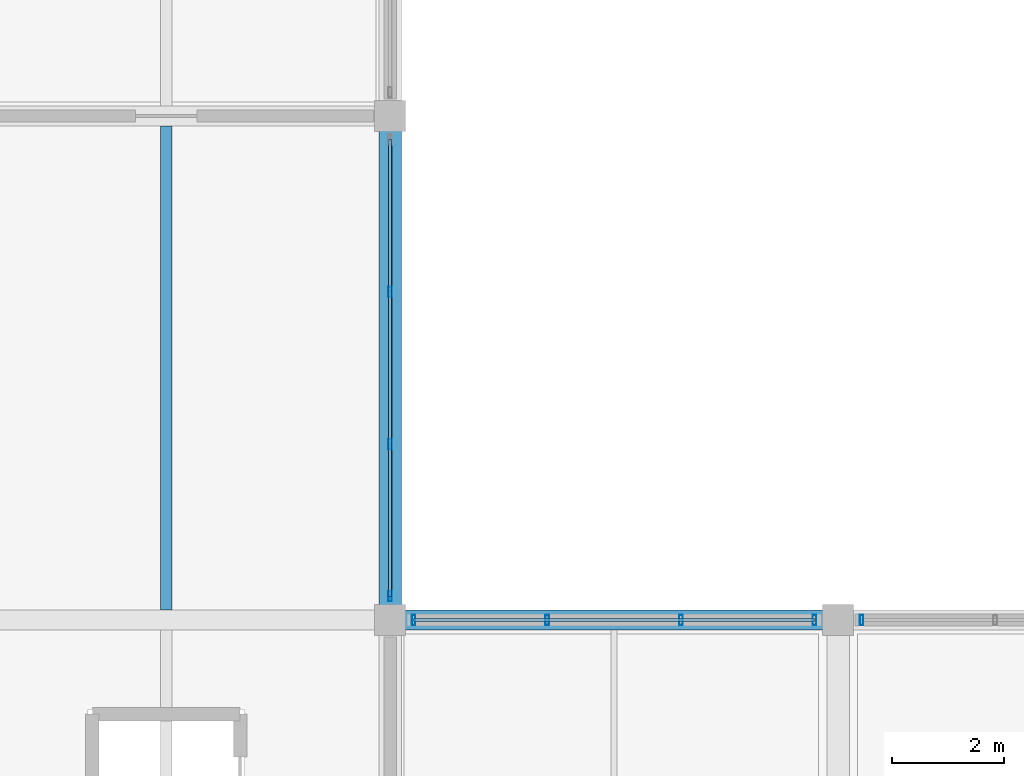
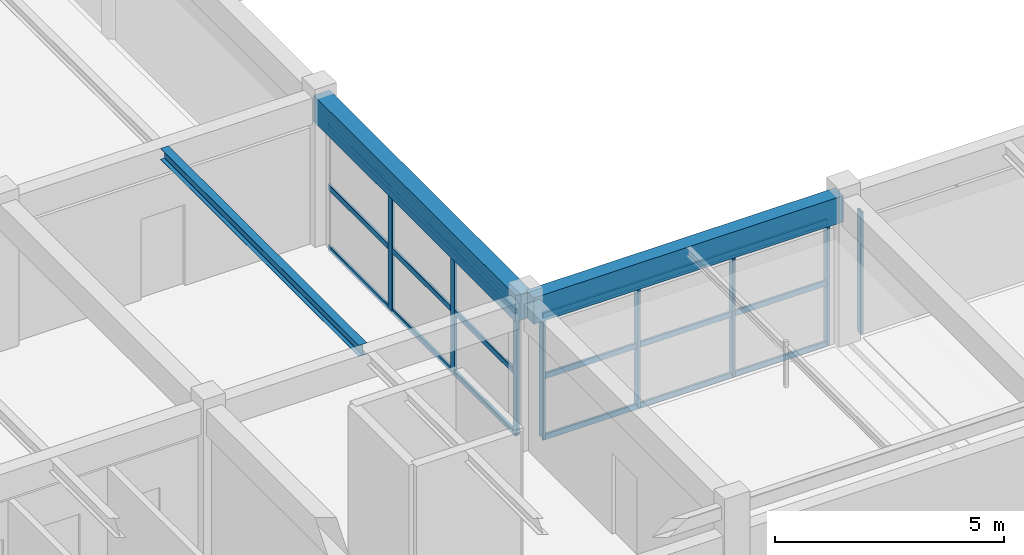
# One storey, part 9 of 63: 14 members, 3 beams, 3 elements without a shape of their own.
"""IFC4 building model written with IfcOpenShell, lengths in metres."""

from ifc_helpers import new_model, si_unit, direction, frame, origin, origin_2d, place, context, subcontext, project, spatial, rectangle, hollow_rectangle, i_section, extrude, material, material_profile, profile_set, type_object, element, aggregate, save


model = new_model("IFC4")

# Units and contexts
model_context = context("Model", 3, precision=1e-05, world=origin(), true_north=direction((0.0, 1.0)))
body_context = subcontext(model_context, "Body", "Model", "MODEL_VIEW")
ifc_project = project(units=[si_unit("LENGTHUNIT", "METRE"), si_unit("AREAUNIT", "SQUARE_METRE"), si_unit("VOLUMEUNIT", "CUBIC_METRE"), si_unit("PLANEANGLEUNIT", "RADIAN"), si_unit("MASSUNIT", "GRAM", prefix="KILO")], contexts=[model_context])

# Site, building, storey
site_placement = place(None, origin())
site = spatial("IfcSite", under=ifc_project, at=site_placement, CompositionType="ELEMENT")
building_placement = place(site_placement, origin())
building = spatial("IfcBuilding", under=site, at=building_placement, Name="Varnabhumi Central Station", CompositionType="ELEMENT")
storey_placement = place(building_placement, frame((0.0, 0.0, 20.39990234375)))
storey = spatial("IfcBuildingStorey", under=building, at=storey_placement, Name="L04", CompositionType="ELEMENT", Elevation=20.39990234375)

# Beams
ifc_material_1 = material(Name="Concrete M40", Category="concrete")
ifc_material_profile_1 = material_profile(ifc_material_1, rectangle(XDim=0.35009765625, YDim=0.699951171875, at=origin_2d()), Name="Concrete M40", Category="concrete")
ifc_profile_set_1 = profile_set([ifc_material_profile_1], Name="Concrete M40")
beam_type_1 = type_object("IfcBeamType", Name="BM-RC-350x700", PredefinedType="BEAM", material=ifc_profile_set_1)
beam_1_placement = place(storey_placement, frame((112.10009765625, 9.0, 3.570068359375), z_axis=(1.0, 0.0, 0.0), x_axis=(0.0, 1.0, 0.0)))
element("IfcBeam", 1, at=beam_1_placement, inside=storey, type_object=beam_type_1, Name="Beam L04-B:15-16", PredefinedType="BEAM", context=body_context, shape_type="SweptSolid", body=[
    extrude(rectangle(XDim=0.35009765625, YDim=0.699951171875, at=origin_2d()), origin(), (0.0, 0.0, 1.0), 7.7998046875),
])
ifc_material_profile_2 = material_profile(ifc_material_1, rectangle(XDim=0.39990234375, YDim=0.699951171875, at=origin_2d()), Name="Concrete M40", Category="concrete")
ifc_profile_set_2 = profile_set([ifc_material_profile_2], Name="Concrete M40")
beam_type_2 = type_object("IfcBeamType", Name="BM-RC-700x400", PredefinedType="BEAM", material=ifc_profile_set_2)
beam_2_placement = place(storey_placement, frame((112.0, 9.10009765625, 3.570068359375), z_axis=(0.0, 1.0, 0.0), x_axis=(-1.0, 0.0, 0.0)))
element("IfcBeam", 2, at=beam_2_placement, inside=storey, type_object=beam_type_2, Name="Beam L04-15:B-C", PredefinedType="BEAM", context=body_context, shape_type="SweptSolid", body=[
    extrude(rectangle(XDim=0.39990234375, YDim=0.699951171875, at=origin_2d()), origin(), (0.0, 0.0, 1.0), 8.7998046875),
])
ifc_material_2 = material(Name="Structural steel E350", Category="steel")
ifc_material_profile_3 = material_profile(ifc_material_2, i_section(OverallWidth=0.199951171875, OverallDepth=0.300048828125, WebThickness=0.00732421875, FlangeThickness=0.010009765625, FilletRadius=0.010986328125, at=origin_2d()), Name="Structural steel E350", Category="steel")
ifc_profile_set_3 = profile_set([ifc_material_profile_3], Name="Structural steel E350")
beam_type_3 = type_object("IfcBeamType", Name="BM-STL-ISWB300", PredefinedType="JOIST", material=ifc_profile_set_3)
beam_3_placement = place(storey_placement, frame((108.0, 9.175048828125, 3.77001953125), z_axis=(0.0, 1.0, 0.0), x_axis=(-1.0, 0.0, 0.0)))
element("IfcBeam", 3, at=beam_3_placement, inside=storey, type_object=beam_type_3, Name="Secondary Joist L04-14/15:B-C", PredefinedType="JOIST", context=body_context, shape_type="SweptSolid", body=[
    extrude(i_section(OverallWidth=0.199951171875, OverallDepth=0.300048828125, WebThickness=0.00732421875, FlangeThickness=0.010009765625, FilletRadius=0.010986328125, at=origin_2d()), origin(), (0.0, 0.0, 1.0), 8.64990234375),
])

# Curtain wall, members
ifc_material_3 = material(Name="Anodised aluminium 6063-T6", Category="aluminium")
curtain_wall_type = type_object("IfcCurtainWallType", Name="CW-PATIO-LOGGIA-L3", PredefinedType="NOTDEFINED", material=ifc_material_3)
curtain_wall_1_placement = place(storey_placement, origin())
curtain_wall_1 = element("IfcCurtainWall", 4, at=curtain_wall_1_placement, inside=storey, type_object=curtain_wall_type, Name="Curtain Wall CW-SP4E1", PredefinedType="NOTDEFINED")
ifc_material_profile_4 = material_profile(ifc_material_3, hollow_rectangle(XDim=0.06494140625, YDim=0.179931640625, WallThickness=0.00390625, InnerFilletRadius=0.001953125, OuterFilletRadius=0.006103515625, at=origin_2d()), Name="Anodised aluminium 6063-T6", Category="aluminium")
ifc_profile_set_4 = profile_set([ifc_material_profile_4], Name="Anodised aluminium 6063-T6")
member_type_1 = type_object("IfcMemberType", Name="CW-MUL-180", PredefinedType="MULLION", material=ifc_profile_set_4)
member_1_placement = place(storey_placement, frame((112.0, 9.419921875, 0.0), z_axis=(0.0, 0.0, 1.0), x_axis=(1.0, 0.0, 0.0)))
member_1 = element("IfcMember", 5, at=member_1_placement, type_object=member_type_1, Name="Curtain Wall Mullion CW-SP4E1-M1", PredefinedType="MULLION", context=body_context, shape_type="SweptSolid", body=[
    extrude(hollow_rectangle(XDim=0.06494140625, YDim=0.179931640625, WallThickness=0.00390625, InnerFilletRadius=0.001953125, OuterFilletRadius=0.006103515625, at=origin_2d()), origin(), (0.0, 0.0, 1.0), 3.239990234375),
])
member_2_placement = place(storey_placement, frame((112.0, 12.139892578125, 0.0), z_axis=(0.0, 0.0, 1.0), x_axis=(1.0, 0.0, 0.0)))
member_2 = element("IfcMember", 6, at=member_2_placement, type_object=member_type_1, Name="Curtain Wall Mullion CW-SP4E1-M2", PredefinedType="MULLION", context=body_context, shape_type="SweptSolid", body=[
    extrude(hollow_rectangle(XDim=0.06494140625, YDim=0.179931640625, WallThickness=0.00390625, InnerFilletRadius=0.001953125, OuterFilletRadius=0.006103515625, at=origin_2d()), origin(), (0.0, 0.0, 1.0), 3.239990234375),
])
member_3_placement = place(storey_placement, frame((112.0, 14.860107421875, 0.0), z_axis=(0.0, 0.0, 1.0), x_axis=(1.0, 0.0, 0.0)))
member_3 = element("IfcMember", 7, at=member_3_placement, type_object=member_type_1, Name="Curtain Wall Mullion CW-SP4E1-M3", PredefinedType="MULLION", context=body_context, shape_type="SweptSolid", body=[
    extrude(hollow_rectangle(XDim=0.06494140625, YDim=0.179931640625, WallThickness=0.00390625, InnerFilletRadius=0.001953125, OuterFilletRadius=0.006103515625, at=origin_2d()), origin(), (0.0, 0.0, 1.0), 3.239990234375),
])

curtain_wall_2_placement = place(storey_placement, origin())
curtain_wall_2 = element("IfcCurtainWall", 8, at=curtain_wall_2_placement, inside=storey, type_object=curtain_wall_type, Name="Curtain Wall CW-SP4S1", PredefinedType="NOTDEFINED")
member_4_placement = place(storey_placement, frame((112.419921875, 9.0, 0.0), z_axis=(0.0, 0.0, 1.0), x_axis=(1.0, 0.0, 0.0)))
member_4 = element("IfcMember", 9, at=member_4_placement, type_object=member_type_1, Name="Curtain Wall Mullion CW-SP4S1-M1", PredefinedType="MULLION", context=body_context, shape_type="SweptSolid", body=[
    extrude(hollow_rectangle(XDim=0.06494140625, YDim=0.179931640625, WallThickness=0.00390625, InnerFilletRadius=0.001953125, OuterFilletRadius=0.006103515625, at=origin_2d()), origin(), (0.0, 0.0, 1.0), 3.239990234375),
])
member_5_placement = place(storey_placement, frame((114.806640625, 9.0, 0.0), z_axis=(0.0, 0.0, 1.0), x_axis=(1.0, 0.0, 0.0)))
member_5 = element("IfcMember", 10, at=member_5_placement, type_object=member_type_1, Name="Curtain Wall Mullion CW-SP4S1-M2", PredefinedType="MULLION", context=body_context, shape_type="SweptSolid", body=[
    extrude(hollow_rectangle(XDim=0.06494140625, YDim=0.179931640625, WallThickness=0.00390625, InnerFilletRadius=0.001953125, OuterFilletRadius=0.006103515625, at=origin_2d()), origin(), (0.0, 0.0, 1.0), 3.239990234375),
])
member_6_placement = place(storey_placement, frame((117.193359375, 9.0, 0.0), z_axis=(0.0, 0.0, 1.0), x_axis=(1.0, 0.0, 0.0)))
member_6 = element("IfcMember", 11, at=member_6_placement, type_object=member_type_1, Name="Curtain Wall Mullion CW-SP4S1-M3", PredefinedType="MULLION", context=body_context, shape_type="SweptSolid", body=[
    extrude(hollow_rectangle(XDim=0.06494140625, YDim=0.179931640625, WallThickness=0.00390625, InnerFilletRadius=0.001953125, OuterFilletRadius=0.006103515625, at=origin_2d()), origin(), (0.0, 0.0, 1.0), 3.239990234375),
])
member_7_placement = place(storey_placement, frame((119.580078125, 9.0, 0.0), z_axis=(0.0, 0.0, 1.0), x_axis=(1.0, 0.0, 0.0)))
member_7 = element("IfcMember", 12, at=member_7_placement, type_object=member_type_1, Name="Curtain Wall Mullion CW-SP4S1-M4", PredefinedType="MULLION", context=body_context, shape_type="SweptSolid", body=[
    extrude(hollow_rectangle(XDim=0.06494140625, YDim=0.179931640625, WallThickness=0.00390625, InnerFilletRadius=0.001953125, OuterFilletRadius=0.006103515625, at=origin_2d()), origin(), (0.0, 0.0, 1.0), 3.239990234375),
])

# Curtain wall, member
curtain_wall_3_placement = place(storey_placement, origin())
curtain_wall_3 = element("IfcCurtainWall", 13, at=curtain_wall_3_placement, inside=storey, type_object=curtain_wall_type, Name="Curtain Wall CW-SP4S2", PredefinedType="NOTDEFINED")
member_8_placement = place(storey_placement, frame((120.419921875, 9.0, 0.0), z_axis=(0.0, 0.0, 1.0), x_axis=(1.0, 0.0, 0.0)))
member_8 = element("IfcMember", 14, at=member_8_placement, type_object=member_type_1, Name="Curtain Wall Mullion CW-SP4S2-M1", PredefinedType="MULLION", context=body_context, shape_type="SweptSolid", body=[
    extrude(hollow_rectangle(XDim=0.06494140625, YDim=0.179931640625, WallThickness=0.00390625, InnerFilletRadius=0.001953125, OuterFilletRadius=0.006103515625, at=origin_2d()), origin(), (0.0, 0.0, 1.0), 3.239990234375),
])
aggregate(curtain_wall_3, [member_8])

# Member
ifc_material_profile_5 = material_profile(ifc_material_3, hollow_rectangle(XDim=0.06005859375, YDim=0.14990234375, WallThickness=0.00390625, InnerFilletRadius=0.001953125, OuterFilletRadius=0.006103515625, at=origin_2d()), Name="Anodised aluminium 6063-T6", Category="aluminium")
ifc_profile_set_5 = profile_set([ifc_material_profile_5], Name="Anodised aluminium 6063-T6")
member_type_2 = type_object("IfcMemberType", Name="CW-TR-150", PredefinedType="USERDEFINED", material=ifc_profile_set_5)
member_9_placement = place(storey_placement, frame((112.0, 9.419921875, 0.0), z_axis=(0.0, 1.0, 0.0), x_axis=(-1.0, 0.0, 0.0)))
member_9 = element("IfcMember", 15, at=member_9_placement, type_object=member_type_2, Name="Curtain Wall Transom CW-SP4E1-T1", ObjectType="TRANSOM", PredefinedType="USERDEFINED", context=body_context, shape_type="SweptSolid", body=[
    extrude(hollow_rectangle(XDim=0.06005859375, YDim=0.14990234375, WallThickness=0.00390625, InnerFilletRadius=0.001953125, OuterFilletRadius=0.006103515625, at=origin_2d()), origin(), (0.0, 0.0, 1.0), 8.16015625),
])

member_10_placement = place(storey_placement, frame((112.0, 9.419921875, 1.6201171875), z_axis=(0.0, 1.0, 0.0), x_axis=(-1.0, 0.0, 0.0)))
member_10 = element("IfcMember", 16, at=member_10_placement, type_object=member_type_2, Name="Curtain Wall Transom CW-SP4E1-T2", ObjectType="TRANSOM", PredefinedType="USERDEFINED", context=body_context, shape_type="SweptSolid", body=[
    extrude(hollow_rectangle(XDim=0.06005859375, YDim=0.14990234375, WallThickness=0.00390625, InnerFilletRadius=0.001953125, OuterFilletRadius=0.006103515625, at=origin_2d()), origin(), (0.0, 0.0, 1.0), 8.16015625),
])

member_11_placement = place(storey_placement, frame((112.0, 9.419921875, 3.239990234375), z_axis=(0.0, 1.0, 0.0), x_axis=(-1.0, 0.0, 0.0)))
member_11 = element("IfcMember", 17, at=member_11_placement, type_object=member_type_2, Name="Curtain Wall Transom CW-SP4E1-T3", ObjectType="TRANSOM", PredefinedType="USERDEFINED", context=body_context, shape_type="SweptSolid", body=[
    extrude(hollow_rectangle(XDim=0.06005859375, YDim=0.14990234375, WallThickness=0.00390625, InnerFilletRadius=0.001953125, OuterFilletRadius=0.006103515625, at=origin_2d()), origin(), (0.0, 0.0, 1.0), 8.16015625),
])

aggregate(curtain_wall_1, [member_1, member_2, member_3, member_9, member_10, member_11])

member_12_placement = place(storey_placement, frame((112.419921875, 9.0, 0.0), z_axis=(1.0, 0.0, 0.0), x_axis=(0.0, 1.0, 0.0)))
member_12 = element("IfcMember", 18, at=member_12_placement, type_object=member_type_2, Name="Curtain Wall Transom CW-SP4S1-T1", ObjectType="TRANSOM", PredefinedType="USERDEFINED", context=body_context, shape_type="SweptSolid", body=[
    extrude(hollow_rectangle(XDim=0.06005859375, YDim=0.14990234375, WallThickness=0.00390625, InnerFilletRadius=0.001953125, OuterFilletRadius=0.006103515625, at=origin_2d()), origin(), (0.0, 0.0, 1.0), 7.16015625),
])

member_13_placement = place(storey_placement, frame((112.419921875, 9.0, 1.6201171875), z_axis=(1.0, 0.0, 0.0), x_axis=(0.0, 1.0, 0.0)))
member_13 = element("IfcMember", 19, at=member_13_placement, type_object=member_type_2, Name="Curtain Wall Transom CW-SP4S1-T2", ObjectType="TRANSOM", PredefinedType="USERDEFINED", context=body_context, shape_type="SweptSolid", body=[
    extrude(hollow_rectangle(XDim=0.06005859375, YDim=0.14990234375, WallThickness=0.00390625, InnerFilletRadius=0.001953125, OuterFilletRadius=0.006103515625, at=origin_2d()), origin(), (0.0, 0.0, 1.0), 7.16015625),
])

member_14_placement = place(storey_placement, frame((112.419921875, 9.0, 3.239990234375), z_axis=(1.0, 0.0, 0.0), x_axis=(0.0, 1.0, 0.0)))
member_14 = element("IfcMember", 20, at=member_14_placement, type_object=member_type_2, Name="Curtain Wall Transom CW-SP4S1-T3", ObjectType="TRANSOM", PredefinedType="USERDEFINED", context=body_context, shape_type="SweptSolid", body=[
    extrude(hollow_rectangle(XDim=0.06005859375, YDim=0.14990234375, WallThickness=0.00390625, InnerFilletRadius=0.001953125, OuterFilletRadius=0.006103515625, at=origin_2d()), origin(), (0.0, 0.0, 1.0), 7.16015625),
])

aggregate(curtain_wall_2, [member_4, member_5, member_6, member_7, member_12, member_13, member_14])

save(model, "model.ifc")
